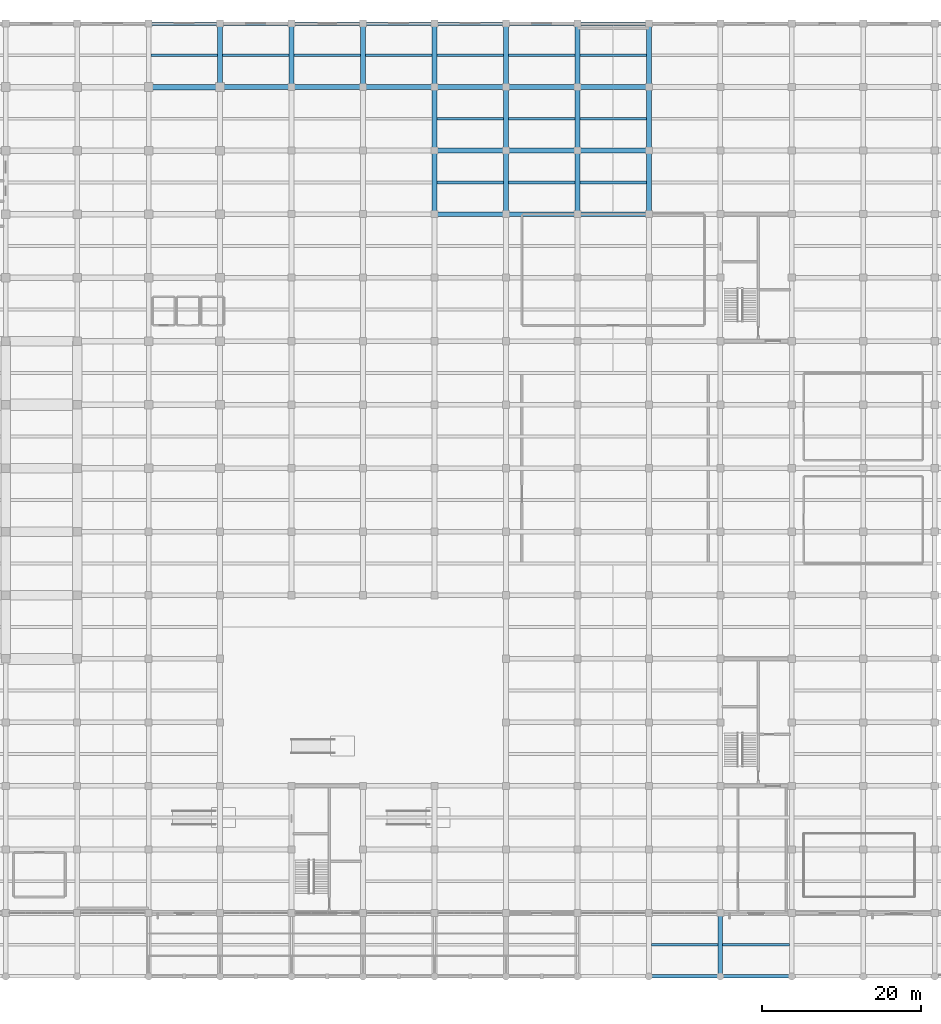
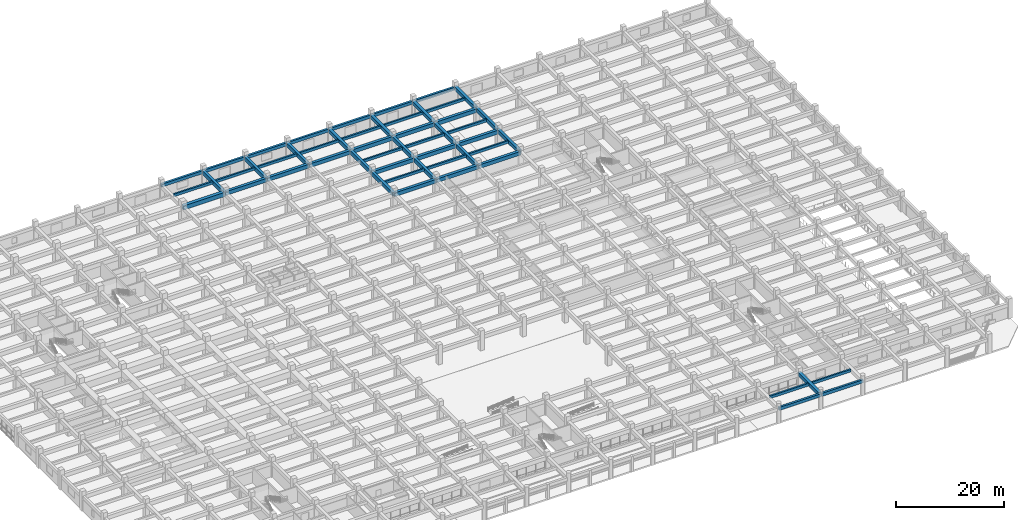
# One storey, part 13 of 40: 53 beams.
"""IFC4 building model written with IfcOpenShell, lengths in metres."""

from ifc_helpers import new_model, si_unit, direction, frame, origin, origin_2d, place, context, subcontext, project, spatial, rectangle, extrude, material, material_profile, profile_set, type_object, element, save


model = new_model("IFC4")

# Units and contexts
model_context = context("Model", 3, precision=1e-05, world=origin(), true_north=direction((0.0, 1.0)))
body_context = subcontext(model_context, "Body", "Model", "MODEL_VIEW")
ifc_project = project(units=[si_unit("LENGTHUNIT", "METRE"), si_unit("AREAUNIT", "SQUARE_METRE"), si_unit("VOLUMEUNIT", "CUBIC_METRE"), si_unit("PLANEANGLEUNIT", "RADIAN"), si_unit("MASSUNIT", "GRAM", prefix="KILO")], contexts=[model_context])

# Site, building, storey
site_placement = place(None, origin())
site = spatial("IfcSite", under=ifc_project, at=site_placement, CompositionType="ELEMENT")
building_placement = place(site_placement, origin())
building = spatial("IfcBuilding", under=site, at=building_placement, Name="Zaverband Oceanarium and Marine Research Institute", CompositionType="ELEMENT")
storey_placement = place(building_placement, origin())
storey = spatial("IfcBuildingStorey", under=building, at=storey_placement, Name="L00", CompositionType="ELEMENT", Elevation=0.0)

# Beams
ifc_material_1 = material(Name="Concrete C40/50", Category="concrete")
ifc_material_profile_1 = material_profile(ifc_material_1, rectangle(XDim=0.60009765625, YDim=0.85009765625, at=origin_2d()), Name="RC600x850")
ifc_profile_set_1 = profile_set([ifc_material_profile_1], Name="Concrete C40/50")
beam_type_1 = type_object("IfcBeamType", Name="BM-600x850", PredefinedType="BEAM", material=ifc_profile_set_1)
for number, where, z_axis, x_axis, name in (
    (1, (99.0, 96.0, 2.875), (1.0, 0.0, 0.0), (0.0, 1.0, 0.0), "Primary floor girder BM-600x850"),
    (2, (108.0, 96.0, 2.875), (1.0, 0.0, 0.0), (0.0, 1.0, 0.0), "Primary floor girder BM-600x850"),
    (3, (117.0, 96.0, 2.875), (1.0, 0.0, 0.0), (0.0, 1.0, 0.0), "Primary floor girder BM-600x850"),
    (4, (99.0, 104.0, 2.875), (1.0, 0.0, 0.0), (0.0, 1.0, 0.0), "Primary floor girder BM-600x850"),
    (5, (108.0, 104.0, 2.875), (1.0, 0.0, 0.0), (0.0, 1.0, 0.0), "Primary floor girder BM-600x850"),
    (6, (117.0, 104.0, 2.875), (1.0, 0.0, 0.0), (0.0, 1.0, 0.0), "Primary floor girder BM-600x850"),
    (7, (72.0, 112.0, 2.875), (1.0, 0.0, 0.0), (0.0, 1.0, 0.0), "Primary floor girder BM-600x850"),
    (8, (81.0, 112.0, 2.875), (1.0, 0.0, 0.0), (0.0, 1.0, 0.0), "Primary floor girder BM-600x850"),
    (9, (90.0, 112.0, 2.875), (1.0, 0.0, 0.0), (0.0, 1.0, 0.0), "Primary floor girder BM-600x850"),
    (10, (99.0, 112.0, 2.875), (1.0, 0.0, 0.0), (0.0, 1.0, 0.0), "Primary floor girder BM-600x850"),
    (11, (108.0, 112.0, 2.875), (1.0, 0.0, 0.0), (0.0, 1.0, 0.0), "Primary floor girder BM-600x850"),
    (12, (117.0, 112.0, 2.875), (1.0, 0.0, 0.0), (0.0, 1.0, 0.0), "Primary floor girder BM-600x850"),
):
    element("IfcBeam", number, at=place(storey_placement, frame(where, z_axis=z_axis, x_axis=x_axis)), inside=storey, type_object=beam_type_1, Name=name, PredefinedType="BEAM", context=body_context, shape_type="SweptSolid", body=[
        extrude(rectangle(XDim=0.60009765625, YDim=0.85009765625, at=origin_2d()), origin(), (0.0, 0.0, 1.0), 9.0),
    ])
for number, where, z_axis, x_axis, name in (
    (13, (72.0, 112.0, 2.875), (0.0, 1.0, 0.0), (-1.0, 0.0, 0.0), "Primary floor girder BM-600x850"),
    (14, (81.0, 112.0, 2.875), (0.0, 1.0, 0.0), (-1.0, 0.0, 0.0), "Primary floor girder BM-600x850"),
    (15, (90.0, 112.0, 2.875), (0.0, 1.0, 0.0), (-1.0, 0.0, 0.0), "Primary floor girder BM-600x850"),
    (16, (99.0, 96.0, 2.875), (0.0, 1.0, 0.0), (-1.0, 0.0, 0.0), "Primary floor girder BM-600x850"),
    (17, (99.0, 104.0, 2.875), (0.0, 1.0, 0.0), (-1.0, 0.0, 0.0), "Primary floor girder BM-600x850"),
    (18, (99.0, 112.0, 2.875), (0.0, 1.0, 0.0), (-1.0, 0.0, 0.0), "Primary floor girder BM-600x850"),
    (19, (108.0, 96.0, 2.875), (0.0, 1.0, 0.0), (-1.0, 0.0, 0.0), "Primary floor girder BM-600x850"),
    (20, (108.0, 104.0, 2.875), (0.0, 1.0, 0.0), (-1.0, 0.0, 0.0), "Primary floor girder BM-600x850"),
    (21, (108.0, 112.0, 2.875), (0.0, 1.0, 0.0), (-1.0, 0.0, 0.0), "Primary floor girder BM-600x850"),
    (22, (117.0, 96.0, 2.875), (0.0, 1.0, 0.0), (-1.0, 0.0, 0.0), "Primary floor girder BM-600x850"),
    (23, (117.0, 104.0, 2.875), (0.0, 1.0, 0.0), (-1.0, 0.0, 0.0), "Primary floor girder BM-600x850"),
    (24, (117.0, 112.0, 2.875), (0.0, 1.0, 0.0), (-1.0, 0.0, 0.0), "Primary floor girder BM-600x850"),
    (25, (126.0, 96.0, 3.02490234375), (0.0, 1.0, 0.0), (-1.0, 0.0, 0.0), "Primary floor girder BM-600x850"),
    (26, (126.0, 104.0, 3.02490234375), (0.0, 1.0, 0.0), (-1.0, 0.0, 0.0), "Primary floor girder BM-600x850"),
    (27, (126.0, 112.0, 3.02490234375), (0.0, 1.0, 0.0), (-1.0, 0.0, 0.0), "Primary floor girder BM-600x850"),
    (28, (135.0, 0.0, 3.02490234375), (0.0, 1.0, 0.0), (-1.0, 0.0, 0.0), "Primary floor girder BM-600x850"),
):
    element("IfcBeam", number, at=place(storey_placement, frame(where, z_axis=z_axis, x_axis=x_axis)), inside=storey, type_object=beam_type_1, Name=name, PredefinedType="BEAM", context=body_context, shape_type="SweptSolid", body=[
        extrude(rectangle(XDim=0.60009765625, YDim=0.85009765625, at=origin_2d()), origin(), (0.0, 0.0, 1.0), 8.0),
    ])
ifc_material_2 = material(Name="Concrete C50/60", Category="concrete")
ifc_material_profile_2 = material_profile(ifc_material_2, rectangle(XDim=0.699951171875, YDim=0.949951171875, at=origin_2d()), Name="RC700x950")
ifc_profile_set_2 = profile_set([ifc_material_profile_2], Name="Concrete C50/60")
beam_type_2 = type_object("IfcBeamType", Name="BM-700x950", PredefinedType="BEAM", material=ifc_profile_set_2)
beam_placement = place(storey_placement, frame((63.0, 112.0, 2.824951171875), z_axis=(1.0, 0.0, 0.0), x_axis=(0.0, 1.0, 0.0)))
element("IfcBeam", 29, at=beam_placement, inside=storey, type_object=beam_type_2, Name="Primary floor girder BM-700x950", PredefinedType="BEAM", context=body_context, shape_type="SweptSolid", body=[
    extrude(rectangle(XDim=0.699951171875, YDim=0.949951171875, at=origin_2d()), origin(), (0.0, 0.0, 1.0), 9.0),
])
ifc_material_profile_3 = material_profile(ifc_material_1, rectangle(XDim=0.35009765625, YDim=0.60009765625, at=origin_2d()), Name="RC350x600")
ifc_profile_set_3 = profile_set([ifc_material_profile_3], Name="Concrete C40/50")
beam_type_3 = type_object("IfcBeamType", Name="JST-350x600", PredefinedType="JOIST", material=ifc_profile_set_3)
for number, where, z_axis, x_axis, name in (
    (30, (63.300048828125, 116.0, 3.0), (1.0, 0.0, 0.0), (0.0, 1.0, 0.0), "Secondary floor joist JST-350x600"),
    (31, (72.300048828125, 116.0, 3.0), (1.0, 0.0, 0.0), (0.0, 1.0, 0.0), "Secondary floor joist JST-350x600"),
    (32, (81.300048828125, 116.0, 3.0), (1.0, 0.0, 0.0), (0.0, 1.0, 0.0), "Secondary floor joist JST-350x600"),
    (33, (90.300048828125, 116.0, 3.0), (1.0, 0.0, 0.0), (0.0, 1.0, 0.0), "Secondary floor joist JST-350x600"),
    (34, (99.300048828125, 100.0, 3.0), (1.0, 0.0, 0.0), (0.0, 1.0, 0.0), "Secondary floor joist JST-350x600"),
    (35, (99.300048828125, 108.0, 3.0), (1.0, 0.0, 0.0), (0.0, 1.0, 0.0), "Secondary floor joist JST-350x600"),
    (36, (99.300048828125, 116.0, 3.0), (1.0, 0.0, 0.0), (0.0, 1.0, 0.0), "Secondary floor joist JST-350x600"),
    (37, (108.300048828125, 100.0, 3.0), (1.0, 0.0, 0.0), (0.0, 1.0, 0.0), "Secondary floor joist JST-350x600"),
    (38, (108.300048828125, 108.0, 3.0), (1.0, 0.0, 0.0), (0.0, 1.0, 0.0), "Secondary floor joist JST-350x600"),
    (39, (108.300048828125, 116.0, 3.0), (1.0, 0.0, 0.0), (0.0, 1.0, 0.0), "Secondary floor joist JST-350x600"),
    (40, (117.300048828125, 100.0, 3.0), (1.0, 0.0, 0.0), (0.0, 1.0, 0.0), "Secondary floor joist JST-350x600"),
    (41, (117.300048828125, 108.0, 3.0), (1.0, 0.0, 0.0), (0.0, 1.0, 0.0), "Secondary floor joist JST-350x600"),
    (42, (117.300048828125, 116.0, 3.0), (1.0, 0.0, 0.0), (0.0, 1.0, 0.0), "Secondary floor joist JST-350x600"),
    (43, (126.300048828125, 4.0, 3.14990234375), (1.0, 0.0, 0.0), (0.0, 1.0, 0.0), "Secondary floor joist JST-350x600"),
    (44, (135.300048828125, 4.0, 3.14990234375), (1.0, 0.0, 0.0), (0.0, 1.0, 0.0), "Secondary floor joist JST-350x600"),
):
    element("IfcBeam", number, at=place(storey_placement, frame(where, z_axis=z_axis, x_axis=x_axis)), inside=storey, type_object=beam_type_3, Name=name, PredefinedType="JOIST", context=body_context, shape_type="SweptSolid", body=[
        extrude(rectangle(XDim=0.35009765625, YDim=0.60009765625, at=origin_2d()), origin(), (0.0, 0.0, 1.0), 8.39990234375),
    ])
ifc_material_profile_4 = material_profile(ifc_material_1, rectangle(XDim=0.449951171875, YDim=0.699951171875, at=origin_2d()), Name="RC450x700")
ifc_profile_set_4 = profile_set([ifc_material_profile_4], Name="Concrete C40/50")
beam_type_4 = type_object("IfcBeamType", Name="SPN-450x700", PredefinedType="SPANDREL", material=ifc_profile_set_4)
for number, where, z_axis, x_axis, name in (
    (45, (126.0, 0.0, 3.10009765625), (1.0, 0.0, 0.0), (0.0, 1.0, 0.0), "Perimeter spandrel beam SPN-450x700"),
    (46, (135.0, 0.0, 3.10009765625), (1.0, 0.0, 0.0), (0.0, 1.0, 0.0), "Perimeter spandrel beam SPN-450x700"),
    (47, (63.0, 120.0, 2.949951171875), (1.0, 0.0, 0.0), (0.0, 1.0, 0.0), "Perimeter spandrel beam SPN-450x700"),
    (48, (72.0, 120.0, 2.949951171875), (1.0, 0.0, 0.0), (0.0, 1.0, 0.0), "Perimeter spandrel beam SPN-450x700"),
    (49, (81.0, 120.0, 2.949951171875), (1.0, 0.0, 0.0), (0.0, 1.0, 0.0), "Perimeter spandrel beam SPN-450x700"),
    (50, (90.0, 120.0, 2.949951171875), (1.0, 0.0, 0.0), (0.0, 1.0, 0.0), "Perimeter spandrel beam SPN-450x700"),
    (51, (99.0, 120.0, 2.949951171875), (1.0, 0.0, 0.0), (0.0, 1.0, 0.0), "Perimeter spandrel beam SPN-450x700"),
    (52, (108.0, 120.0, 2.949951171875), (1.0, 0.0, 0.0), (0.0, 1.0, 0.0), "Perimeter spandrel beam SPN-450x700"),
    (53, (117.0, 120.0, 2.949951171875), (1.0, 0.0, 0.0), (0.0, 1.0, 0.0), "Perimeter spandrel beam SPN-450x700"),
):
    element("IfcBeam", number, at=place(storey_placement, frame(where, z_axis=z_axis, x_axis=x_axis)), inside=storey, type_object=beam_type_4, Name=name, PredefinedType="SPANDREL", context=body_context, shape_type="SweptSolid", body=[
        extrude(rectangle(XDim=0.449951171875, YDim=0.699951171875, at=origin_2d()), origin(), (0.0, 0.0, 1.0), 9.0),
    ])

save(model, "model.ifc")
